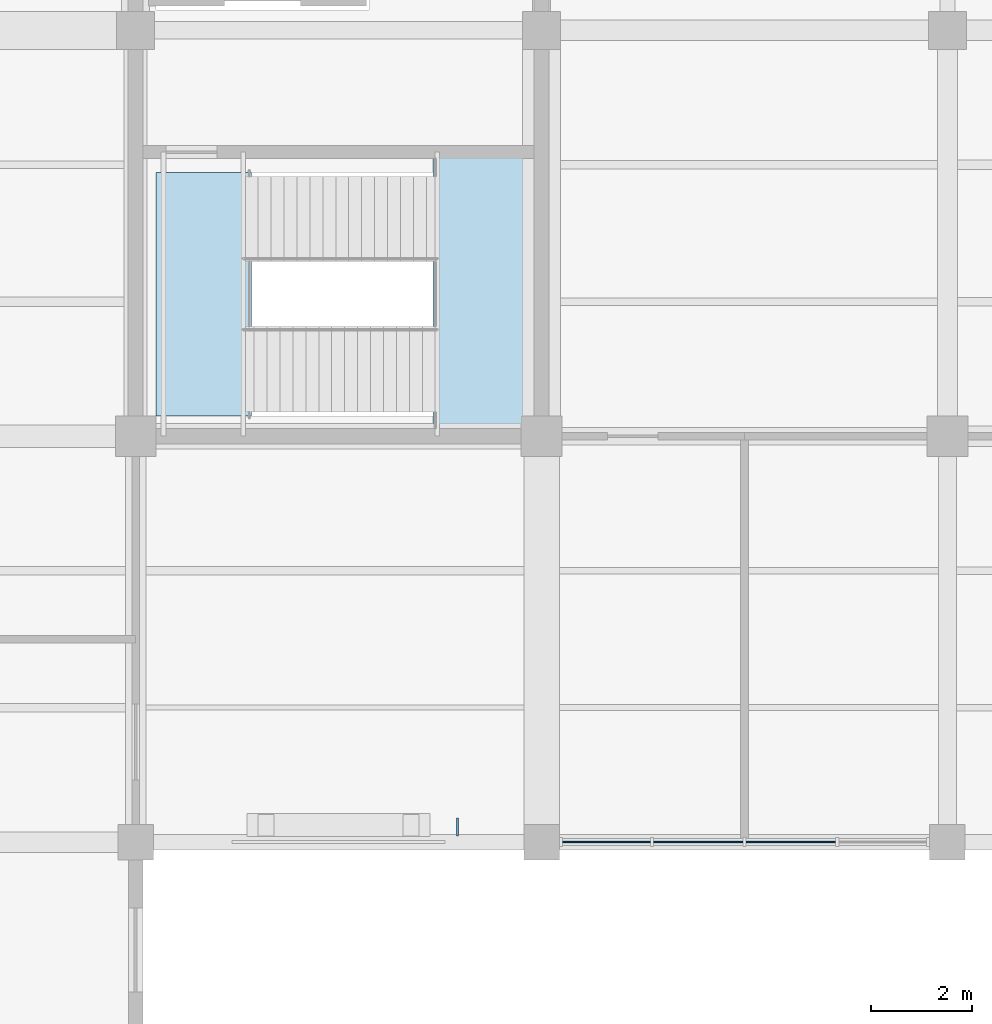
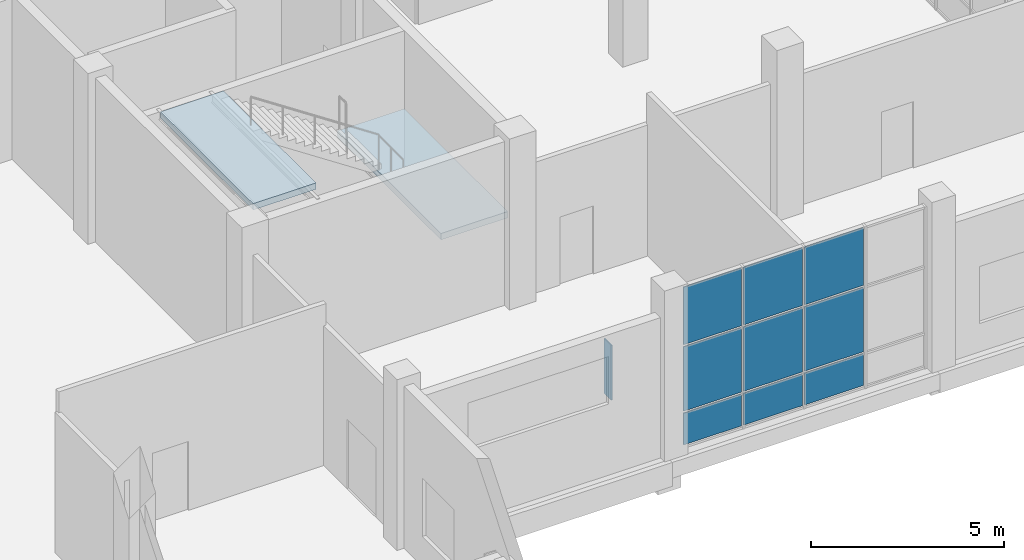
# One storey, part 82 of 122: 10 plates, 2 slabs, 2 elements without a shape of their own.
"""IFC4 building model written with IfcOpenShell, lengths in metres."""

from ifc_helpers import new_model, si_unit, direction, frame, origin, origin_2d, place, context, subcontext, project, spatial, polyline, rectangle, outline, extrude, material, layer, layer_set, type_object, element, aggregate, save


model = new_model("IFC4")

# Units and contexts
model_context = context("Model", 3, precision=1e-05, world=origin(), true_north=direction((0.0, 1.0)))
body_context = subcontext(model_context, "Body", "Model", "MODEL_VIEW")
ifc_project = project(units=[si_unit("LENGTHUNIT", "METRE"), si_unit("AREAUNIT", "SQUARE_METRE"), si_unit("VOLUMEUNIT", "CUBIC_METRE"), si_unit("PLANEANGLEUNIT", "RADIAN"), si_unit("MASSUNIT", "GRAM", prefix="KILO")], contexts=[model_context])

# Site, building, storey
site_placement = place(None, origin())
site = spatial("IfcSite", under=ifc_project, at=site_placement, CompositionType="ELEMENT")
building_placement = place(site_placement, origin())
building = spatial("IfcBuilding", under=site, at=building_placement, Name="Tenunan Teduh Sports Hall", CompositionType="ELEMENT")
storey_placement = place(building_placement, frame((0.0, 0.0, 5.39990234375)))
storey = spatial("IfcBuildingStorey", under=building, at=storey_placement, Name="L01", CompositionType="ELEMENT", Elevation=5.39990234375)

# Curtain wall, plates
ifc_material_1 = material(Name="Anodised aluminium", Category="aluminium")
curtain_wall_type = type_object("IfcCurtainWallType", Name="CW-UNIT-1", PredefinedType="NOTDEFINED", material=ifc_material_1)
curtain_wall_placement = place(storey_placement, origin())
curtain_wall = element("IfcCurtainWall", 1, at=curtain_wall_placement, inside=storey, type_object=curtain_wall_type, Name="CW-CWM-175-L01-202", PredefinedType="NOTDEFINED")
ifc_material_2 = material(Name="Low-E laminated double glazing", Category="glass")
ifc_layer_1 = layer(ifc_material_2, 0.028076171875)
ifc_layer_set_1 = layer_set([ifc_layer_1], Name="Low-E laminated double glazing")
plate_type_1 = type_object("IfcPlateType", Name="CWP-GLZ-28", PredefinedType="CURTAIN_PANEL", material=ifc_layer_set_1)
plate_1_placement = place(storey_placement, frame((63.27880859375, 86.0, 1.1328125), z_axis=(0.0, 0.0, 1.0), x_axis=(1.0, 0.0, 0.0)))
plate_1 = element("IfcPlate", 2, at=plate_1_placement, type_object=plate_type_1, Name="CW-01 panel 1.2", PredefinedType="CURTAIN_PANEL", context=body_context, shape_type="SweptSolid", body=[
    extrude(rectangle(XDim=1.7275390625, YDim=0.028076171875, at=origin_2d()), origin(), (0.0, 0.0, 1.0), 2.034912109375),
])
plate_2_placement = place(storey_placement, frame((63.27880859375, 86.0, 3.232421875), z_axis=(0.0, 0.0, 1.0), x_axis=(1.0, 0.0, 0.0)))
plate_2 = element("IfcPlate", 3, at=plate_2_placement, type_object=plate_type_1, Name="CW-01 panel 1.3", PredefinedType="CURTAIN_PANEL", context=body_context, shape_type="SweptSolid", body=[
    extrude(rectangle(XDim=1.7275390625, YDim=0.028076171875, at=origin_2d()), origin(), (0.0, 0.0, 1.0), 1.822509765625),
])
plate_3_placement = place(storey_placement, frame((65.08740234375, 86.0, 1.1328125), z_axis=(0.0, 0.0, 1.0), x_axis=(1.0, 0.0, 0.0)))
plate_3 = element("IfcPlate", 4, at=plate_3_placement, type_object=plate_type_1, Name="CW-01 panel 2.2", PredefinedType="CURTAIN_PANEL", context=body_context, shape_type="SweptSolid", body=[
    extrude(rectangle(XDim=1.760009765625, YDim=0.028076171875, at=origin_2d()), origin(), (0.0, 0.0, 1.0), 2.034912109375),
])
plate_4_placement = place(storey_placement, frame((65.08740234375, 86.0, 3.232421875), z_axis=(0.0, 0.0, 1.0), x_axis=(1.0, 0.0, 0.0)))
plate_4 = element("IfcPlate", 5, at=plate_4_placement, type_object=plate_type_1, Name="CW-01 panel 2.3", PredefinedType="CURTAIN_PANEL", context=body_context, shape_type="SweptSolid", body=[
    extrude(rectangle(XDim=1.760009765625, YDim=0.028076171875, at=origin_2d()), origin(), (0.0, 0.0, 1.0), 1.822509765625),
])
plate_5_placement = place(storey_placement, frame((66.91259765625, 86.0, 1.1328125), z_axis=(0.0, 0.0, 1.0), x_axis=(1.0, 0.0, 0.0)))
plate_5 = element("IfcPlate", 6, at=plate_5_placement, type_object=plate_type_1, Name="CW-01 panel 3.2", PredefinedType="CURTAIN_PANEL", context=body_context, shape_type="SweptSolid", body=[
    extrude(rectangle(XDim=1.760009765625, YDim=0.028076171875, at=origin_2d()), origin(), (0.0, 0.0, 1.0), 2.034912109375),
])
plate_6_placement = place(storey_placement, frame((66.91259765625, 86.0, 3.232421875), z_axis=(0.0, 0.0, 1.0), x_axis=(1.0, 0.0, 0.0)))
plate_6 = element("IfcPlate", 7, at=plate_6_placement, type_object=plate_type_1, Name="CW-01 panel 3.3", PredefinedType="CURTAIN_PANEL", context=body_context, shape_type="SweptSolid", body=[
    extrude(rectangle(XDim=1.760009765625, YDim=0.028076171875, at=origin_2d()), origin(), (0.0, 0.0, 1.0), 1.822509765625),
])
ifc_material_3 = material(Name="Insulated aluminium spandrel panel", Category="aluminium")
ifc_layer_2 = layer(ifc_material_3, 0.044921875)
ifc_layer_set_2 = layer_set([ifc_layer_2], Name="Insulated aluminium spandrel panel")
plate_type_2 = type_object("IfcPlateType", Name="CWP-SPN-45", PredefinedType="CURTAIN_PANEL", material=ifc_layer_set_2)
plate_7_placement = place(storey_placement, frame((63.27880859375, 86.0, 0.065185546875), z_axis=(0.0, 0.0, 1.0), x_axis=(1.0, 0.0, 0.0)))
plate_7 = element("IfcPlate", 8, at=plate_7_placement, type_object=plate_type_2, Name="CW-01 panel 1.1", PredefinedType="CURTAIN_PANEL", context=body_context, shape_type="SweptSolid", body=[
    extrude(rectangle(XDim=1.7275390625, YDim=0.028076171875, at=origin_2d()), origin(), (0.0, 0.0, 1.0), 1.00244140625),
])
plate_8_placement = place(storey_placement, frame((65.08740234375, 86.0, 0.065185546875), z_axis=(0.0, 0.0, 1.0), x_axis=(1.0, 0.0, 0.0)))
plate_8 = element("IfcPlate", 9, at=plate_8_placement, type_object=plate_type_2, Name="CW-01 panel 2.1", PredefinedType="CURTAIN_PANEL", context=body_context, shape_type="SweptSolid", body=[
    extrude(rectangle(XDim=1.760009765625, YDim=0.028076171875, at=origin_2d()), origin(), (0.0, 0.0, 1.0), 1.00244140625),
])
plate_9_placement = place(storey_placement, frame((66.91259765625, 86.0, 0.065185546875), z_axis=(0.0, 0.0, 1.0), x_axis=(1.0, 0.0, 0.0)))
plate_9 = element("IfcPlate", 10, at=plate_9_placement, type_object=plate_type_2, Name="CW-01 panel 3.1", PredefinedType="CURTAIN_PANEL", context=body_context, shape_type="SweptSolid", body=[
    extrude(rectangle(XDim=1.760009765625, YDim=0.028076171875, at=origin_2d()), origin(), (0.0, 0.0, 1.0), 1.00244140625),
])
aggregate(curtain_wall, [plate_7, plate_1, plate_2, plate_8, plate_3, plate_4, plate_9, plate_5, plate_6])

# Plate
ifc_material_4 = material(Name="Anodised aluminium", Category="aluminium")
ifc_layer_3 = layer(ifc_material_4, 1.89990234375)
ifc_layer_set_3 = layer_set([ifc_layer_3], Name="Anodised aluminium")
plate_type_3 = type_object("IfcPlateType", Name="PLT-FIN-1", PredefinedType="SHEET", material=ifc_layer_set_3)
plate_10_placement = place(storey_placement, frame((60.340087890625, 86.300048828125, 2.1298828125), z_axis=(0.0, 0.0, 1.0), x_axis=(1.0, 0.0, 0.0)))
element("IfcPlate", 11, at=plate_10_placement, inside=storey, type_object=plate_type_3, Name="PLT-FIN-L01-027", PredefinedType="SHEET", context=body_context, shape_type="SweptSolid", body=[
    extrude(rectangle(XDim=0.0400390625, YDim=0.360107421875, at=origin_2d()), origin(), (0.0, 0.0, 1.0), 1.739990234375),
])

# Stair, slabs
ifc_material_5 = material(Name="Precast concrete C40/50", Category="concrete")
stair_type = type_object("IfcStairType", Name="STR-CORE-42", PredefinedType="HALF_TURN_STAIR", material=ifc_material_5)
stair_placement = place(storey_placement, origin())
stair = element("IfcStair", 12, at=stair_placement, inside=storey, type_object=stair_type, Name="STR-W3-L01", PredefinedType="HALF_TURN_STAIR")
ifc_material_6 = material(Name="Precast concrete C40/50", Category="concrete")
ifc_layer_4 = layer(ifc_material_6, 0.199951171875)
ifc_layer_set_4 = layer_set([ifc_layer_4], Name="Precast concrete C40/50")
slab_type = type_object("IfcSlabType", Name="SLB-LND-200", PredefinedType="LANDING", material=ifc_layer_set_4)
slab_1_placement = place(storey_placement, frame((0.0, 0.0, 2.5)))
slab_1 = element("IfcSlab", 13, at=slab_1_placement, type_object=slab_type, Name="ST-13 landing 1", PredefinedType="LANDING", context=body_context, shape_type="SweptSolid", body=[
    extrude(outline(polyline([(59.864990234375, 94.139892578125), (61.860107421875, 94.139892578125), (61.860107421875, 99.5), (59.864990234375, 99.5), (59.864990234375, 94.139892578125)])), origin(), (0.0, 0.0, 1.0), 0.2001953125),
])
slab_2_placement = place(storey_placement, frame((0.0, 0.0, 5.2001953125)))
slab_2 = element("IfcSlab", 14, at=slab_2_placement, type_object=slab_type, Name="ST-13 landing 2", PredefinedType="LANDING", context=body_context, shape_type="SweptSolid", body=[
    extrude(outline(polyline([(54.39990234375, 94.39990234375), (56.280029296875, 94.39990234375), (56.280029296875, 99.199951171875), (54.39990234375, 99.199951171875), (54.39990234375, 94.39990234375)])), origin(), (0.0, 0.0, 1.0), 0.199951171875),
])
aggregate(stair, [slab_1, slab_2])

save(model, "model.ifc")
